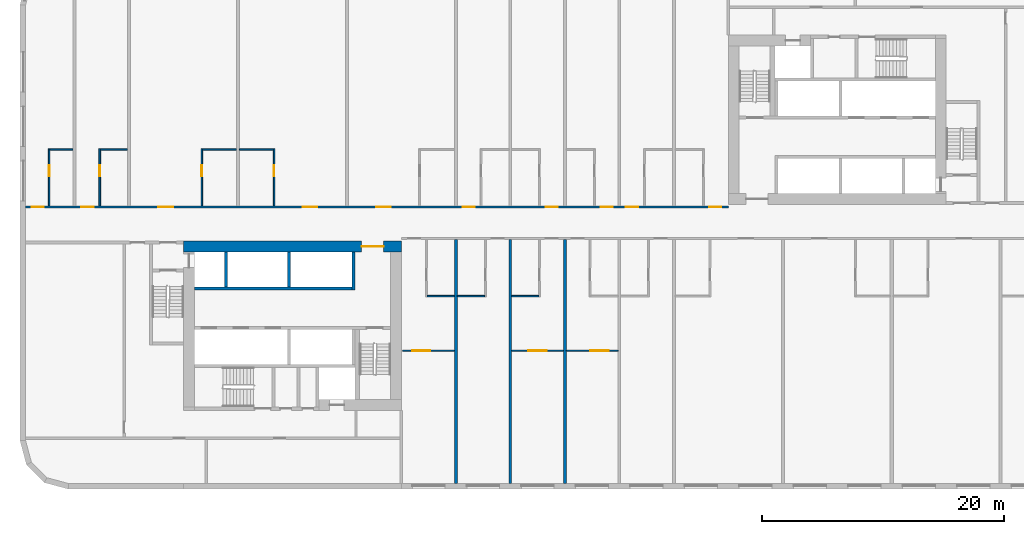
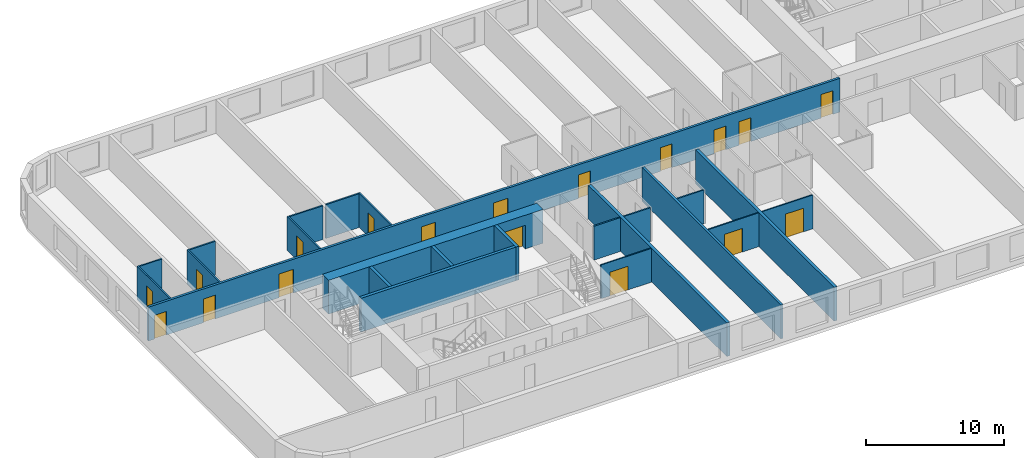
# One storey, part 3 of 12: 23 walls, 18 doors, 18 openings.
"""IFC4 building model written with IfcOpenShell, lengths in metres."""

from ifc_helpers import new_model, si_unit, direction, frame, frame_2d, origin, place, context, subcontext, project, spatial, rectangle, extrude, material, layer, layer_set, type_object, element, fill, save


model = new_model("IFC4")

# Units and contexts
model_context = context("Model", 3, precision=1e-05, world=origin(), true_north=direction((0.0, 1.0)))
body_context = subcontext(model_context, "Body", "Model", "MODEL_VIEW")
ifc_project = project(units=[si_unit("LENGTHUNIT", "METRE"), si_unit("AREAUNIT", "SQUARE_METRE"), si_unit("VOLUMEUNIT", "CUBIC_METRE"), si_unit("PLANEANGLEUNIT", "RADIAN"), si_unit("MASSUNIT", "GRAM", prefix="KILO")], contexts=[model_context])

# Site, building, storey
site_placement = place(None, origin())
site = spatial("IfcSite", under=ifc_project, at=site_placement, CompositionType="ELEMENT")
building_placement = place(site_placement, origin())
building = spatial("IfcBuilding", under=site, at=building_placement, Name="Kajstack Hotel Tower", CompositionType="ELEMENT")
storey_placement = place(building_placement, frame((0.0, 0.0, 96.300048828125)))
storey = spatial("IfcBuildingStorey", under=building, at=storey_placement, Name="L20", CompositionType="ELEMENT", Elevation=96.300048828125)

# Wall, opening, door
ifc_material_1 = material(Name="Concrete C60/75", Category="concrete")
ifc_layer_1 = layer(ifc_material_1, 0.89990234375)
ifc_layer_set_1 = layer_set([ifc_layer_1], Name="Core wall 900")
wall_type_1 = type_object("IfcWallType", Name="Core wall 900", PredefinedType="SHEAR", material=ifc_layer_set_1)
wall_1_placement = place(storey_placement, frame((-31.5, -1.949951171875, 0.0), z_axis=(0.0, 0.0, 1.0), x_axis=(1.0, 0.0, 0.0)))
wall_1 = element("IfcWall", 1, at=wall_1_placement, inside=storey, type_object=wall_type_1, Name="Core wall W RN", PredefinedType="SHEAR", context=body_context, shape_type="SweptSolid", body=[
    extrude(rectangle(XDim=18.0, YDim=0.89990234375, at=frame_2d((9.0, 0.0))), origin(), (0.0, 0.0, 1.0), 3.0),
])
opening_1_placement = place(wall_1_placement, frame((14.72509765625, 0.0, 0.0)))
opening_1 = element("IfcOpeningElement", 2, at=opening_1_placement, cuts=wall_1, Name="Opening 20W06", PredefinedType="OPENING", context=body_context, shape_type="SweptSolid", body=[
    extrude(rectangle(XDim=1.800048828125, YDim=2.10009765625, at=frame_2d((0.89990234375, 1.050048828125))), frame((0.0, 0.4599609375, 0.0), z_axis=(0.0, -1.0, 0.0), x_axis=(1.0, 0.0, 0.0)), (0.0, 0.0, 1.0), 0.919921875),
])
ifc_material_2 = material(Name="Glazed steel frame, fire-rated glass", Category="steel")
door_type_1 = type_object("IfcDoorType", Name="Lobby double door 1800", OperationType="DOUBLE_DOOR_DOUBLE_SWING", PredefinedType="DOOR", material=ifc_material_2)
door_1_placement = place(opening_1_placement, origin())
door_1 = element("IfcDoor", 3, at=door_1_placement, inside=storey, type_object=door_type_1, Name="Door 20W06", OperationType="DOUBLE_DOOR_DOUBLE_SWING", OverallHeight=2.10009765625, OverallWidth=1.800048828125, PredefinedType="DOOR", context=body_context, shape_type="SweptSolid", body=[
    extrude(rectangle(XDim=1.800048828125, YDim=2.10009765625, at=frame_2d((0.89990234375, 1.050048828125))), frame((0.0, 0.02490234375, 0.0), z_axis=(0.0, -1.0, 0.0), x_axis=(1.0, 0.0, 0.0)), (0.0, 0.0, 1.0), 0.050048828125),
])
fill(opening_1, door_1)

# Wall, openings, doors
ifc_material_3 = material(Name="Gypsum board on steel studs, mineral wool", Category="steel")
ifc_layer_2 = layer(ifc_material_3, 0.199951171875)
ifc_layer_set_2 = layer_set([ifc_layer_2], Name="Corridor wall 200")
wall_type_2 = type_object("IfcWallType", Name="Corridor wall 200", PredefinedType="PARTITIONING", material=ifc_layer_set_2)
wall_2_placement = place(storey_placement, frame((-44.550048828125, 1.300048828125, 0.0), z_axis=(0.0, 0.0, 1.0), x_axis=(1.0, 0.0, 0.0)))
wall_2 = element("IfcWall", 4, at=wall_2_placement, inside=storey, type_object=wall_type_2, Name="G-wall-L20-003", PredefinedType="PARTITIONING", context=body_context, shape_type="SweptSolid", body=[
    extrude(rectangle(XDim=58.050048828125, YDim=0.199951171875, at=frame_2d((29.02490234375, 0.0))), origin(), (0.0, 0.0, 1.0), 3.0),
])
opening_2_placement = place(wall_2_placement, frame((0.52490234375, 0.0, 0.0)))
opening_2 = element("IfcOpeningElement", 5, at=opening_2_placement, cuts=wall_2, Name="Opening 20001", PredefinedType="OPENING", context=body_context, shape_type="SweptSolid", body=[
    extrude(rectangle(XDim=1.0, YDim=2.10009765625, at=frame_2d((0.5, 1.050048828125))), frame((0.0, 0.10986328125, 0.0), z_axis=(0.0, -1.0, 0.0), x_axis=(1.0, 0.0, 0.0)), (0.0, 0.0, 1.0), 0.219970703125),
])
opening_3_placement = place(wall_2_placement, frame((4.625, 0.0, 0.0)))
opening_3 = element("IfcOpeningElement", 6, at=opening_3_placement, cuts=wall_2, Name="Opening 20003", PredefinedType="OPENING", context=body_context, shape_type="SweptSolid", body=[
    extrude(rectangle(XDim=1.0, YDim=2.10009765625, at=frame_2d((0.5, 1.050048828125))), frame((0.0, 0.10986328125, 0.0), z_axis=(0.0, -1.0, 0.0), x_axis=(1.0, 0.0, 0.0)), (0.0, 0.0, 1.0), 0.219970703125),
])
opening_4_placement = place(wall_2_placement, frame((10.987060546875, 0.0, 0.0)))
opening_4 = element("IfcOpeningElement", 7, at=opening_4_placement, cuts=wall_2, Name="Opening 20005", PredefinedType="OPENING", context=body_context, shape_type="SweptSolid", body=[
    extrude(rectangle(XDim=1.199951171875, YDim=2.10009765625, at=frame_2d((0.60009765625, 1.050048828125))), frame((0.0, 0.10986328125, 0.0), z_axis=(0.0, -1.0, 0.0), x_axis=(1.0, 0.0, 0.0)), (0.0, 0.0, 1.0), 0.219970703125),
])
opening_5_placement = place(wall_2_placement, frame((22.912109375, 0.0, 0.0)))
opening_5 = element("IfcOpeningElement", 8, at=opening_5_placement, cuts=wall_2, Name="Opening 20007", PredefinedType="OPENING", context=body_context, shape_type="SweptSolid", body=[
    extrude(rectangle(XDim=1.199951171875, YDim=2.10009765625, at=frame_2d((0.60009765625, 1.050048828125))), frame((0.0, 0.10986328125, 0.0), z_axis=(0.0, -1.0, 0.0), x_axis=(1.0, 0.0, 0.0)), (0.0, 0.0, 1.0), 0.219970703125),
])
opening_6_placement = place(wall_2_placement, frame((28.987060546875, 0.0, 0.0)))
opening_6 = element("IfcOpeningElement", 9, at=opening_6_placement, cuts=wall_2, Name="Opening 20009", PredefinedType="OPENING", context=body_context, shape_type="SweptSolid", body=[
    extrude(rectangle(XDim=1.199951171875, YDim=2.10009765625, at=frame_2d((0.60009765625, 1.050048828125))), frame((0.0, 0.10986328125, 0.0), z_axis=(0.0, -1.0, 0.0), x_axis=(1.0, 0.0, 0.0)), (0.0, 0.0, 1.0), 0.219970703125),
])
opening_7_placement = place(wall_2_placement, frame((36.125, 0.0, 0.0)))
opening_7 = element("IfcOpeningElement", 10, at=opening_7_placement, cuts=wall_2, Name="Opening 20011", PredefinedType="OPENING", context=body_context, shape_type="SweptSolid", body=[
    extrude(rectangle(XDim=1.0, YDim=2.10009765625, at=frame_2d((0.5, 1.050048828125))), frame((0.0, 0.10986328125, 0.0), z_axis=(0.0, -1.0, 0.0), x_axis=(1.0, 0.0, 0.0)), (0.0, 0.0, 1.0), 0.219970703125),
])
opening_8_placement = place(wall_2_placement, frame((42.97509765625, 0.0, 0.0)))
opening_8 = element("IfcOpeningElement", 11, at=opening_8_placement, cuts=wall_2, Name="Opening 20013", PredefinedType="OPENING", context=body_context, shape_type="SweptSolid", body=[
    extrude(rectangle(XDim=1.0, YDim=2.10009765625, at=frame_2d((0.5, 1.050048828125))), frame((0.0, 0.10986328125, 0.0), z_axis=(0.0, -1.0, 0.0), x_axis=(1.0, 0.0, 0.0)), (0.0, 0.0, 1.0), 0.219970703125),
])
opening_9_placement = place(wall_2_placement, frame((47.5, 0.0, 0.0)))
opening_9 = element("IfcOpeningElement", 12, at=opening_9_placement, cuts=wall_2, Name="Opening 20015", PredefinedType="OPENING", context=body_context, shape_type="SweptSolid", body=[
    extrude(rectangle(XDim=1.0, YDim=2.10009765625, at=frame_2d((0.5, 1.050048828125))), frame((0.0, 0.10986328125, 0.0), z_axis=(0.0, -1.0, 0.0), x_axis=(1.0, 0.0, 0.0)), (0.0, 0.0, 1.0), 0.219970703125),
])
opening_10_placement = place(wall_2_placement, frame((49.60009765625, 0.0, 0.0)))
opening_10 = element("IfcOpeningElement", 13, at=opening_10_placement, cuts=wall_2, Name="Opening 20017", PredefinedType="OPENING", context=body_context, shape_type="SweptSolid", body=[
    extrude(rectangle(XDim=1.0, YDim=2.10009765625, at=frame_2d((0.5, 1.050048828125))), frame((0.0, 0.10986328125, 0.0), z_axis=(0.0, -1.0, 0.0), x_axis=(1.0, 0.0, 0.0)), (0.0, 0.0, 1.0), 0.219970703125),
])
opening_11_placement = place(wall_2_placement, frame((56.47509765625, 0.0, 0.0)))
opening_11 = element("IfcOpeningElement", 14, at=opening_11_placement, cuts=wall_2, Name="Opening 20019", PredefinedType="OPENING", context=body_context, shape_type="SweptSolid", body=[
    extrude(rectangle(XDim=1.0, YDim=2.10009765625, at=frame_2d((0.5, 1.050048828125))), frame((0.0, 0.10986328125, 0.0), z_axis=(0.0, -1.0, 0.0), x_axis=(1.0, 0.0, 0.0)), (0.0, 0.0, 1.0), 0.219970703125),
])
ifc_material_4 = material(Name="Oak veneer on timber core, fire-rated leaf", Category="wood")
door_type_2 = type_object("IfcDoorType", Name="Flat entrance door 1000", OperationType="SINGLE_SWING_LEFT", PredefinedType="DOOR", material=ifc_material_4)
door_2_placement = place(opening_2_placement, origin())
door_2 = element("IfcDoor", 15, at=door_2_placement, inside=storey, type_object=door_type_2, Name="G-door-L20-01", OperationType="SINGLE_SWING_RIGHT", OverallHeight=2.10009765625, OverallWidth=1.0, PredefinedType="DOOR", context=body_context, shape_type="SweptSolid", body=[
    extrude(rectangle(XDim=1.0, YDim=2.10009765625, at=frame_2d((0.5, 1.050048828125))), frame((0.0, 0.02490234375, 0.0), z_axis=(0.0, -1.0, 0.0), x_axis=(1.0, 0.0, 0.0)), (0.0, 0.0, 1.0), 0.050048828125),
])
fill(opening_2, door_2)
door_3_placement = place(opening_3_placement, origin())
door_3 = element("IfcDoor", 16, at=door_3_placement, inside=storey, type_object=door_type_2, Name="G-door-L20-03", OperationType="SINGLE_SWING_RIGHT", OverallHeight=2.10009765625, OverallWidth=1.0, PredefinedType="DOOR", context=body_context, shape_type="SweptSolid", body=[
    extrude(rectangle(XDim=1.0, YDim=2.10009765625, at=frame_2d((0.5, 1.050048828125))), frame((0.0, 0.02490234375, 0.0), z_axis=(0.0, -1.0, 0.0), x_axis=(1.0, 0.0, 0.0)), (0.0, 0.0, 1.0), 0.050048828125),
])
fill(opening_3, door_3)
door_4_placement = place(opening_7_placement, origin())
door_4 = element("IfcDoor", 17, at=door_4_placement, inside=storey, type_object=door_type_2, Name="G-door-L20-11", OperationType="SINGLE_SWING_RIGHT", OverallHeight=2.10009765625, OverallWidth=1.0, PredefinedType="DOOR", context=body_context, shape_type="SweptSolid", body=[
    extrude(rectangle(XDim=1.0, YDim=2.10009765625, at=frame_2d((0.5, 1.050048828125))), frame((0.0, 0.02490234375, 0.0), z_axis=(0.0, -1.0, 0.0), x_axis=(1.0, 0.0, 0.0)), (0.0, 0.0, 1.0), 0.050048828125),
])
fill(opening_7, door_4)
door_5_placement = place(opening_8_placement, origin())
door_5 = element("IfcDoor", 18, at=door_5_placement, inside=storey, type_object=door_type_2, Name="G-door-L20-13", OperationType="SINGLE_SWING_LEFT", OverallHeight=2.10009765625, OverallWidth=1.0, PredefinedType="DOOR", context=body_context, shape_type="SweptSolid", body=[
    extrude(rectangle(XDim=1.0, YDim=2.10009765625, at=frame_2d((0.5, 1.050048828125))), frame((0.0, 0.02490234375, 0.0), z_axis=(0.0, -1.0, 0.0), x_axis=(1.0, 0.0, 0.0)), (0.0, 0.0, 1.0), 0.050048828125),
])
fill(opening_8, door_5)
door_6_placement = place(opening_9_placement, origin())
door_6 = element("IfcDoor", 19, at=door_6_placement, inside=storey, type_object=door_type_2, Name="G-door-L20-15", OperationType="SINGLE_SWING_RIGHT", OverallHeight=2.10009765625, OverallWidth=1.0, PredefinedType="DOOR", context=body_context, shape_type="SweptSolid", body=[
    extrude(rectangle(XDim=1.0, YDim=2.10009765625, at=frame_2d((0.5, 1.050048828125))), frame((0.0, 0.02490234375, 0.0), z_axis=(0.0, -1.0, 0.0), x_axis=(1.0, 0.0, 0.0)), (0.0, 0.0, 1.0), 0.050048828125),
])
fill(opening_9, door_6)
door_7_placement = place(opening_10_placement, origin())
door_7 = element("IfcDoor", 20, at=door_7_placement, inside=storey, type_object=door_type_2, Name="G-door-L20-17", OperationType="SINGLE_SWING_LEFT", OverallHeight=2.10009765625, OverallWidth=1.0, PredefinedType="DOOR", context=body_context, shape_type="SweptSolid", body=[
    extrude(rectangle(XDim=1.0, YDim=2.10009765625, at=frame_2d((0.5, 1.050048828125))), frame((0.0, 0.02490234375, 0.0), z_axis=(0.0, -1.0, 0.0), x_axis=(1.0, 0.0, 0.0)), (0.0, 0.0, 1.0), 0.050048828125),
])
fill(opening_10, door_7)
door_8_placement = place(opening_11_placement, origin())
door_8 = element("IfcDoor", 21, at=door_8_placement, inside=storey, type_object=door_type_2, Name="G-door-L20-19", OperationType="SINGLE_SWING_RIGHT", OverallHeight=2.10009765625, OverallWidth=1.0, PredefinedType="DOOR", context=body_context, shape_type="SweptSolid", body=[
    extrude(rectangle(XDim=1.0, YDim=2.10009765625, at=frame_2d((0.5, 1.050048828125))), frame((0.0, 0.02490234375, 0.0), z_axis=(0.0, -1.0, 0.0), x_axis=(1.0, 0.0, 0.0)), (0.0, 0.0, 1.0), 0.050048828125),
])
fill(opening_11, door_8)
door_type_3 = type_object("IfcDoorType", Name="Flat entrance door 1200", OperationType="SINGLE_SWING_LEFT", PredefinedType="DOOR", material=ifc_material_4)
door_9_placement = place(opening_4_placement, origin())
door_9 = element("IfcDoor", 22, at=door_9_placement, inside=storey, type_object=door_type_3, Name="G-door-L20-05", OperationType="SINGLE_SWING_RIGHT", OverallHeight=2.10009765625, OverallWidth=1.199951171875, PredefinedType="DOOR", context=body_context, shape_type="SweptSolid", body=[
    extrude(rectangle(XDim=1.199951171875, YDim=2.10009765625, at=frame_2d((0.60009765625, 1.050048828125))), frame((0.0, 0.02490234375, 0.0), z_axis=(0.0, -1.0, 0.0), x_axis=(1.0, 0.0, 0.0)), (0.0, 0.0, 1.0), 0.050048828125),
])
fill(opening_4, door_9)
door_10_placement = place(opening_5_placement, origin())
door_10 = element("IfcDoor", 23, at=door_10_placement, inside=storey, type_object=door_type_3, Name="G-door-L20-07", OperationType="SINGLE_SWING_LEFT", OverallHeight=2.10009765625, OverallWidth=1.199951171875, PredefinedType="DOOR", context=body_context, shape_type="SweptSolid", body=[
    extrude(rectangle(XDim=1.199951171875, YDim=2.10009765625, at=frame_2d((0.60009765625, 1.050048828125))), frame((0.0, 0.02490234375, 0.0), z_axis=(0.0, -1.0, 0.0), x_axis=(1.0, 0.0, 0.0)), (0.0, 0.0, 1.0), 0.050048828125),
])
fill(opening_5, door_10)
door_11_placement = place(opening_6_placement, origin())
door_11 = element("IfcDoor", 24, at=door_11_placement, inside=storey, type_object=door_type_3, Name="G-door-L20-09", OperationType="SINGLE_SWING_LEFT", OverallHeight=2.10009765625, OverallWidth=1.199951171875, PredefinedType="DOOR", context=body_context, shape_type="SweptSolid", body=[
    extrude(rectangle(XDim=1.199951171875, YDim=2.10009765625, at=frame_2d((0.60009765625, 1.050048828125))), frame((0.0, 0.02490234375, 0.0), z_axis=(0.0, -1.0, 0.0), x_axis=(1.0, 0.0, 0.0)), (0.0, 0.0, 1.0), 0.050048828125),
])
fill(opening_6, door_11)

# Wall
ifc_material_5 = material(Name="Twin-frame gypsum board on steel studs, mineral wool", Category="steel")
ifc_layer_3 = layer(ifc_material_5, 0.199951171875)
ifc_layer_set_3 = layer_set([ifc_layer_3], Name="Demising wall 200")
wall_type_3 = type_object("IfcWallType", Name="Demising wall 200", PredefinedType="PARTITIONING", material=ifc_layer_set_3)
wall_3_placement = place(storey_placement, frame((-4.5, -21.550048828125, 0.0), z_axis=(0.0, 0.0, 1.0), x_axis=(0.0, 1.0, 0.0)))
element("IfcWall", 25, at=wall_3_placement, inside=storey, type_object=wall_type_3, Name="G-wall-L20-030", PredefinedType="PARTITIONING", context=body_context, shape_type="SweptSolid", body=[
    extrude(rectangle(XDim=20.150146484375, YDim=0.199951171875, at=frame_2d((10.0751953125, 0.0))), origin(), (0.0, 0.0, 1.0), 3.0),
])

# Wall, opening, door
ifc_material_6 = material(Name="Gypsum board and tiled backer on steel studs", Category="steel")
ifc_layer_4 = layer(ifc_material_6, 0.125)
ifc_layer_set_4 = layer_set([ifc_layer_4], Name="En-suite wall 125")
wall_type_4 = type_object("IfcWallType", Name="En-suite wall 125", PredefinedType="PARTITIONING", material=ifc_layer_set_4)
wall_4_placement = place(storey_placement, frame((-42.5869140625, 1.39990234375, 0.0), z_axis=(0.0, 0.0, 1.0), x_axis=(0.0, 1.0, 0.0)))
wall_4 = element("IfcWall", 26, at=wall_4_placement, inside=storey, type_object=wall_type_4, Name="G-wall-L20-004", PredefinedType="PARTITIONING", context=body_context, shape_type="SweptSolid", body=[
    extrude(rectangle(XDim=4.72509765625, YDim=0.125, at=frame_2d((2.362548828125, 0.0))), origin(), (0.0, 0.0, 1.0), 3.0),
])
opening_12_placement = place(wall_4_placement, frame((2.449951171875, 0.0, 0.0)))
opening_12 = element("IfcOpeningElement", 27, at=opening_12_placement, cuts=wall_4, Name="Opening 20002", PredefinedType="OPENING", context=body_context, shape_type="SweptSolid", body=[
    extrude(rectangle(XDim=0.89990234375, YDim=2.10009765625, at=frame_2d((0.449951171875, 1.050048828125))), frame((0.0, 0.072509765625, 0.0), z_axis=(0.0, -1.0, 0.0), x_axis=(1.0, 0.0, 0.0)), (0.0, 0.0, 1.0), 0.14501953125),
])
ifc_material_7 = material(Name="Painted timber door leaf", Category="wood")
door_type_4 = type_object("IfcDoorType", Name="Room door 900", OperationType="SINGLE_SWING_LEFT", PredefinedType="DOOR", material=ifc_material_7)
door_12_placement = place(opening_12_placement, origin())
door_12 = element("IfcDoor", 28, at=door_12_placement, inside=storey, type_object=door_type_4, Name="G-door-L20-02", OperationType="SINGLE_SWING_LEFT", OverallHeight=2.10009765625, OverallWidth=0.89990234375, PredefinedType="DOOR", context=body_context, shape_type="SweptSolid", body=[
    extrude(rectangle(XDim=0.89990234375, YDim=2.10009765625, at=frame_2d((0.449951171875, 1.050048828125))), frame((0.0, 0.02490234375, 0.0), z_axis=(0.0, -1.0, 0.0), x_axis=(1.0, 0.0, 0.0)), (0.0, 0.0, 1.0), 0.050048828125),
])
fill(opening_12, door_12)

# Wall
wall_5_placement = place(storey_placement, frame((-42.52490234375, 6.06201171875, 0.0), z_axis=(0.0, 0.0, 1.0), x_axis=(1.0, 0.0, 0.0)))
element("IfcWall", 29, at=wall_5_placement, inside=storey, type_object=wall_type_4, Name="G-wall-L20-005", PredefinedType="PARTITIONING", context=body_context, shape_type="SweptSolid", body=[
    extrude(rectangle(XDim=1.89990234375, YDim=0.125, at=frame_2d((0.949951171875, 0.0))), origin(), (0.0, 0.0, 1.0), 3.0),
])

# Wall, opening, door
wall_6_placement = place(storey_placement, frame((-38.4130859375, 1.39990234375, 0.0), z_axis=(0.0, 0.0, 1.0), x_axis=(0.0, 1.0, 0.0)))
wall_6 = element("IfcWall", 30, at=wall_6_placement, inside=storey, type_object=wall_type_4, Name="G-wall-L20-006", PredefinedType="PARTITIONING", context=body_context, shape_type="SweptSolid", body=[
    extrude(rectangle(XDim=4.72509765625, YDim=0.125, at=frame_2d((2.362548828125, 0.0))), origin(), (0.0, 0.0, 1.0), 3.0),
])
opening_13_placement = place(wall_6_placement, frame((2.449951171875, 0.0, 0.0)))
opening_13 = element("IfcOpeningElement", 31, at=opening_13_placement, cuts=wall_6, Name="Opening 20004", PredefinedType="OPENING", context=body_context, shape_type="SweptSolid", body=[
    extrude(rectangle(XDim=0.89990234375, YDim=2.10009765625, at=frame_2d((0.449951171875, 1.050048828125))), frame((0.0, 0.072509765625, 0.0), z_axis=(0.0, -1.0, 0.0), x_axis=(1.0, 0.0, 0.0)), (0.0, 0.0, 1.0), 0.14501953125),
])
door_13_placement = place(opening_13_placement, origin())
door_13 = element("IfcDoor", 32, at=door_13_placement, inside=storey, type_object=door_type_4, Name="G-door-L20-04", OperationType="SINGLE_SWING_RIGHT", OverallHeight=2.10009765625, OverallWidth=0.89990234375, PredefinedType="DOOR", context=body_context, shape_type="SweptSolid", body=[
    extrude(rectangle(XDim=0.89990234375, YDim=2.10009765625, at=frame_2d((0.449951171875, 1.050048828125))), frame((0.0, 0.02490234375, 0.0), z_axis=(0.0, -1.0, 0.0), x_axis=(1.0, 0.0, 0.0)), (0.0, 0.0, 1.0), 0.050048828125),
])
fill(opening_13, door_13)

# Wall
wall_7_placement = place(storey_placement, frame((-38.35009765625, 6.06201171875, 0.0), z_axis=(0.0, 0.0, 1.0), x_axis=(1.0, 0.0, 0.0)))
element("IfcWall", 33, at=wall_7_placement, inside=storey, type_object=wall_type_4, Name="G-wall-L20-007", PredefinedType="PARTITIONING", context=body_context, shape_type="SweptSolid", body=[
    extrude(rectangle(XDim=2.22509765625, YDim=0.125, at=frame_2d((1.112548828125, 0.0))), origin(), (0.0, 0.0, 1.0), 3.0),
])

# Wall, opening, door
wall_8_placement = place(storey_placement, frame((-29.988037109375, 1.39990234375, 0.0), z_axis=(0.0, 0.0, 1.0), x_axis=(0.0, 1.0, 0.0)))
wall_8 = element("IfcWall", 34, at=wall_8_placement, inside=storey, type_object=wall_type_4, Name="G-wall-L20-008", PredefinedType="PARTITIONING", context=body_context, shape_type="SweptSolid", body=[
    extrude(rectangle(XDim=4.72509765625, YDim=0.125, at=frame_2d((2.362548828125, 0.0))), origin(), (0.0, 0.0, 1.0), 3.0),
])
opening_14_placement = place(wall_8_placement, frame((2.449951171875, 0.0, 0.0)))
opening_14 = element("IfcOpeningElement", 35, at=opening_14_placement, cuts=wall_8, Name="Opening 20006", PredefinedType="OPENING", context=body_context, shape_type="SweptSolid", body=[
    extrude(rectangle(XDim=0.89990234375, YDim=2.10009765625, at=frame_2d((0.449951171875, 1.050048828125))), frame((0.0, 0.072509765625, 0.0), z_axis=(0.0, -1.0, 0.0), x_axis=(1.0, 0.0, 0.0)), (0.0, 0.0, 1.0), 0.14501953125),
])
door_14_placement = place(opening_14_placement, origin())
door_14 = element("IfcDoor", 36, at=door_14_placement, inside=storey, type_object=door_type_4, Name="G-door-L20-06", OperationType="SINGLE_SWING_RIGHT", OverallHeight=2.10009765625, OverallWidth=0.89990234375, PredefinedType="DOOR", context=body_context, shape_type="SweptSolid", body=[
    extrude(rectangle(XDim=0.89990234375, YDim=2.10009765625, at=frame_2d((0.449951171875, 1.050048828125))), frame((0.0, 0.02490234375, 0.0), z_axis=(0.0, -1.0, 0.0), x_axis=(1.0, 0.0, 0.0)), (0.0, 0.0, 1.0), 0.050048828125),
])
fill(opening_14, door_14)

# Wall
wall_9_placement = place(storey_placement, frame((-29.925048828125, 6.06201171875, 0.0), z_axis=(0.0, 0.0, 1.0), x_axis=(1.0, 0.0, 0.0)))
element("IfcWall", 37, at=wall_9_placement, inside=storey, type_object=wall_type_4, Name="G-wall-L20-009", PredefinedType="PARTITIONING", context=body_context, shape_type="SweptSolid", body=[
    extrude(rectangle(XDim=2.800048828125, YDim=0.125, at=frame_2d((1.39990234375, 0.0))), origin(), (0.0, 0.0, 1.0), 3.0),
])

# Wall, opening, door
wall_10_placement = place(storey_placement, frame((-24.011962890625, 1.39990234375, 0.0), z_axis=(0.0, 0.0, 1.0), x_axis=(0.0, 1.0, 0.0)))
wall_10 = element("IfcWall", 38, at=wall_10_placement, inside=storey, type_object=wall_type_4, Name="G-wall-L20-010", PredefinedType="PARTITIONING", context=body_context, shape_type="SweptSolid", body=[
    extrude(rectangle(XDim=4.72509765625, YDim=0.125, at=frame_2d((2.362548828125, 0.0))), origin(), (0.0, 0.0, 1.0), 3.0),
])
opening_15_placement = place(wall_10_placement, frame((2.449951171875, 0.0, 0.0)))
opening_15 = element("IfcOpeningElement", 39, at=opening_15_placement, cuts=wall_10, Name="Opening 20008", PredefinedType="OPENING", context=body_context, shape_type="SweptSolid", body=[
    extrude(rectangle(XDim=0.89990234375, YDim=2.10009765625, at=frame_2d((0.449951171875, 1.050048828125))), frame((0.0, 0.072509765625, 0.0), z_axis=(0.0, -1.0, 0.0), x_axis=(1.0, 0.0, 0.0)), (0.0, 0.0, 1.0), 0.14501953125),
])
door_15_placement = place(opening_15_placement, origin())
door_15 = element("IfcDoor", 40, at=door_15_placement, inside=storey, type_object=door_type_4, Name="G-door-L20-08", OperationType="SINGLE_SWING_RIGHT", OverallHeight=2.10009765625, OverallWidth=0.89990234375, PredefinedType="DOOR", context=body_context, shape_type="SweptSolid", body=[
    extrude(rectangle(XDim=0.89990234375, YDim=2.10009765625, at=frame_2d((0.449951171875, 1.050048828125))), frame((0.0, 0.02490234375, 0.0), z_axis=(0.0, -1.0, 0.0), x_axis=(1.0, 0.0, 0.0)), (0.0, 0.0, 1.0), 0.050048828125),
])
fill(opening_15, door_15)

# Walls
wall_11_placement = place(storey_placement, frame((-26.875, 6.06201171875, 0.0), z_axis=(0.0, 0.0, 1.0), x_axis=(1.0, 0.0, 0.0)))
element("IfcWall", 41, at=wall_11_placement, inside=storey, type_object=wall_type_4, Name="G-wall-L20-011", PredefinedType="PARTITIONING", context=body_context, shape_type="SweptSolid", body=[
    extrude(rectangle(XDim=2.800048828125, YDim=0.125, at=frame_2d((1.39990234375, 0.0))), origin(), (0.0, 0.0, 1.0), 3.0),
])
for number, where, z_axis, x_axis, name in (
    (42, (-11.375, -6.06201171875, 0.0), (0.0, 0.0, 1.0), (1.0, 0.0, 0.0), "G-wall-L20-028"),
    (43, (-8.875, -6.06201171875, 0.0), (0.0, 0.0, 1.0), (1.0, 0.0, 0.0), "G-wall-L20-032"),
    (44, (-4.39990234375, -6.06201171875, 0.0), (0.0, 0.0, 1.0), (1.0, 0.0, 0.0), "G-wall-L20-034"),
):
    element("IfcWall", number, at=place(storey_placement, frame(where, z_axis=z_axis, x_axis=x_axis)), inside=storey, type_object=wall_type_4, Name=name, PredefinedType="PARTITIONING", context=body_context, shape_type="SweptSolid", body=[
        extrude(rectangle(XDim=2.25, YDim=0.125, at=frame_2d((1.125, 0.0))), origin(), (0.0, 0.0, 1.0), 3.0),
    ])
ifc_material_8 = material(Name="Concrete C50/60", Category="concrete")
ifc_layer_5 = layer(ifc_material_8, 0.300048828125)
ifc_layer_set_5 = layer_set([ifc_layer_5], Name="Hoistway divider wall 300")
wall_type_5 = type_object("IfcWallType", Name="Hoistway divider wall 300", PredefinedType="SHEAR", material=ifc_layer_set_5)
wall_12_placement = place(storey_placement, frame((-22.77490234375, -5.300048828125, 0.0), z_axis=(0.0, 0.0, 1.0), x_axis=(0.0, 1.0, 0.0)))
element("IfcWall", 45, at=wall_12_placement, inside=storey, type_object=wall_type_5, Name="Core wall W AP2", PredefinedType="SHEAR", context=body_context, shape_type="SweptSolid", body=[
    extrude(rectangle(XDim=2.900146484375, YDim=0.25, at=frame_2d((1.4501953125, 0.0))), origin(), (0.0, 0.0, 1.0), 3.0),
])

# Wall, opening, door
ifc_material_9 = material(Name="Gypsum board on steel studs", Category="steel")
ifc_layer_6 = layer(ifc_material_9, 0.10009765625)
ifc_layer_set_6 = layer_set([ifc_layer_6], Name="Partition 100")
wall_type_6 = type_object("IfcWallType", Name="Partition 100", PredefinedType="PARTITIONING", material=ifc_layer_set_6)
wall_13_placement = place(storey_placement, frame((-13.39990234375, -10.574951171875, 0.0), z_axis=(0.0, 0.0, 1.0), x_axis=(1.0, 0.0, 0.0)))
wall_13 = element("IfcWall", 46, at=wall_13_placement, inside=storey, type_object=wall_type_6, Name="G-wall-L20-029", PredefinedType="PARTITIONING", context=body_context, shape_type="SweptSolid", body=[
    extrude(rectangle(XDim=4.27490234375, YDim=0.10009765625, at=frame_2d((2.137451171875, 0.0))), origin(), (0.0, 0.0, 1.0), 3.0),
])
opening_16_placement = place(wall_13_placement, frame((0.7880859375, 0.0, 0.0)))
opening_16 = element("IfcOpeningElement", 47, at=opening_16_placement, cuts=wall_13, Name="Opening 20023", PredefinedType="OPENING", context=body_context, shape_type="SweptSolid", body=[
    extrude(rectangle(XDim=1.5, YDim=2.10009765625, at=frame_2d((0.75, 1.050048828125))), frame((0.0, 0.06005859375, 0.0), z_axis=(0.0, -1.0, 0.0), x_axis=(1.0, 0.0, 0.0)), (0.0, 0.0, 1.0), 0.1201171875),
])
ifc_material_10 = material(Name="Painted timber door leaves, glazed panels", Category="wood")
door_type_5 = type_object("IfcDoorType", Name="Double door 1500", OperationType="SINGLE_SWING_LEFT", PredefinedType="DOOR", material=ifc_material_10)
door_16_placement = place(opening_16_placement, origin())
door_16 = element("IfcDoor", 48, at=door_16_placement, inside=storey, type_object=door_type_5, Name="G-door-L20-23", OperationType="SINGLE_SWING_LEFT", OverallHeight=2.10009765625, OverallWidth=1.5, PredefinedType="DOOR", context=body_context, shape_type="SweptSolid", body=[
    extrude(rectangle(XDim=1.5, YDim=2.10009765625, at=frame_2d((0.75, 1.050048828125))), frame((0.0, 0.02490234375, 0.0), z_axis=(0.0, -1.0, 0.0), x_axis=(1.0, 0.0, 0.0)), (0.0, 0.0, 1.0), 0.050048828125),
])
fill(opening_16, door_16)

wall_14_placement = place(storey_placement, frame((-4.39990234375, -10.574951171875, 0.0), z_axis=(0.0, 0.0, 1.0), x_axis=(1.0, 0.0, 0.0)))
wall_14 = element("IfcWall", 49, at=wall_14_placement, inside=storey, type_object=wall_type_6, Name="G-wall-L20-035", PredefinedType="PARTITIONING", context=body_context, shape_type="SweptSolid", body=[
    extrude(rectangle(XDim=4.27490234375, YDim=0.10009765625, at=frame_2d((2.137451171875, 0.0))), origin(), (0.0, 0.0, 1.0), 3.0),
])
opening_17_placement = place(wall_14_placement, frame((1.387939453125, 0.0, 0.0)))
opening_17 = element("IfcOpeningElement", 50, at=opening_17_placement, cuts=wall_14, Name="Opening 20028", PredefinedType="OPENING", context=body_context, shape_type="SweptSolid", body=[
    extrude(rectangle(XDim=1.5, YDim=2.10009765625, at=frame_2d((0.75, 1.050048828125))), frame((0.0, 0.06005859375, 0.0), z_axis=(0.0, -1.0, 0.0), x_axis=(1.0, 0.0, 0.0)), (0.0, 0.0, 1.0), 0.1201171875),
])
door_17_placement = place(opening_17_placement, origin())
door_17 = element("IfcDoor", 51, at=door_17_placement, inside=storey, type_object=door_type_5, Name="G-door-L20-28", OperationType="SINGLE_SWING_RIGHT", OverallHeight=2.10009765625, OverallWidth=1.5, PredefinedType="DOOR", context=body_context, shape_type="SweptSolid", body=[
    extrude(rectangle(XDim=1.5, YDim=2.10009765625, at=frame_2d((0.75, 1.050048828125))), frame((0.0, 0.02490234375, 0.0), z_axis=(0.0, -1.0, 0.0), x_axis=(1.0, 0.0, 0.0)), (0.0, 0.0, 1.0), 0.050048828125),
])
fill(opening_17, door_17)

wall_15_placement = place(storey_placement, frame((0.125, -10.574951171875, 0.0), z_axis=(0.0, 0.0, 1.0), x_axis=(1.0, 0.0, 0.0)))
wall_15 = element("IfcWall", 52, at=wall_15_placement, inside=storey, type_object=wall_type_6, Name="G-wall-L20-039", PredefinedType="PARTITIONING", context=body_context, shape_type="SweptSolid", body=[
    extrude(rectangle(XDim=4.27490234375, YDim=0.10009765625, at=frame_2d((2.137451171875, 0.0))), origin(), (0.0, 0.0, 1.0), 3.0),
])
opening_18_placement = place(wall_15_placement, frame((1.988037109375, 0.0, 0.0)))
opening_18 = element("IfcOpeningElement", 53, at=opening_18_placement, cuts=wall_15, Name="Opening 20031", PredefinedType="OPENING", context=body_context, shape_type="SweptSolid", body=[
    extrude(rectangle(XDim=1.5, YDim=2.10009765625, at=frame_2d((0.75, 1.050048828125))), frame((0.0, 0.06005859375, 0.0), z_axis=(0.0, -1.0, 0.0), x_axis=(1.0, 0.0, 0.0)), (0.0, 0.0, 1.0), 0.1201171875),
])
door_18_placement = place(opening_18_placement, origin())
door_18 = element("IfcDoor", 54, at=door_18_placement, inside=storey, type_object=door_type_5, Name="G-door-L20-31", OperationType="SINGLE_SWING_LEFT", OverallHeight=2.10009765625, OverallWidth=1.5, PredefinedType="DOOR", context=body_context, shape_type="SweptSolid", body=[
    extrude(rectangle(XDim=1.5, YDim=2.10009765625, at=frame_2d((0.75, 1.050048828125))), frame((0.0, 0.02490234375, 0.0), z_axis=(0.0, -1.0, 0.0), x_axis=(1.0, 0.0, 0.0)), (0.0, 0.0, 1.0), 0.050048828125),
])
fill(opening_18, door_18)

# Walls
ifc_layer_7 = layer(ifc_material_1, 0.25)
ifc_layer_set_7 = layer_set([ifc_layer_7], Name="RC cross wall 250 C60/75")
wall_type_7 = type_object("IfcWallType", Name="RC cross wall 250 C60/75", PredefinedType="SHEAR", material=ifc_layer_set_7)
for number, where, z_axis, x_axis, name in (
    (55, (-9.0, -21.5400390625, 0.0), (0.0, 0.0, 1.0), (0.0, 1.0, 0.0), "S-wall-L20-05"),
    (56, (0.0, -21.5400390625, 0.0), (0.0, 0.0, 1.0), (0.0, 1.0, 0.0), "S-wall-L20-07"),
):
    element("IfcWall", number, at=place(storey_placement, frame(where, z_axis=z_axis, x_axis=x_axis)), inside=storey, type_object=wall_type_7, Name=name, PredefinedType="SHEAR", context=body_context, shape_type="SweptSolid", body=[
        extrude(rectangle(XDim=20.14013671875, YDim=0.25, at=frame_2d((10.070068359375, 0.0))), origin(), (0.0, 0.0, 1.0), 3.0),
    ])
ifc_layer_8 = layer(ifc_material_8, 0.25)
ifc_layer_set_8 = layer_set([ifc_layer_8], Name="Shaft wall 250")
wall_type_8 = type_object("IfcWallType", Name="Shaft wall 250", PredefinedType="SHEAR", material=ifc_layer_set_8)
wall_16_placement = place(storey_placement, frame((-30.60009765625, -5.425048828125, 0.0), z_axis=(0.0, 0.0, 1.0), x_axis=(1.0, 0.0, 0.0)))
element("IfcWall", 57, at=wall_16_placement, inside=storey, type_object=wall_type_8, Name="Core wall W FA", PredefinedType="SHEAR", context=body_context, shape_type="SweptSolid", body=[
    extrude(rectangle(XDim=13.0, YDim=0.25, at=frame_2d((6.5, 0.0))), origin(), (0.0, 0.0, 1.0), 3.0),
])
wall_17_placement = place(storey_placement, frame((-17.47509765625, -5.550048828125, 0.0), z_axis=(0.0, 0.0, 1.0), x_axis=(0.0, 1.0, 0.0)))
element("IfcWall", 58, at=wall_17_placement, inside=storey, type_object=wall_type_8, Name="Core wall W AE", PredefinedType="SHEAR", context=body_context, shape_type="SweptSolid", body=[
    extrude(rectangle(XDim=3.150146484375, YDim=0.25, at=frame_2d((1.5751953125, 0.0))), origin(), (0.0, 0.0, 1.0), 3.0),
])
wall_18_placement = place(storey_placement, frame((-27.97509765625, -5.300048828125, 0.0), z_axis=(0.0, 0.0, 1.0), x_axis=(0.0, 1.0, 0.0)))
element("IfcWall", 59, at=wall_18_placement, inside=storey, type_object=wall_type_8, Name="Core wall W AP0", PredefinedType="SHEAR", context=body_context, shape_type="SweptSolid", body=[
    extrude(rectangle(XDim=2.900146484375, YDim=0.25, at=frame_2d((1.4501953125, 0.0))), origin(), (0.0, 0.0, 1.0), 3.0),
])

save(model, "model.ifc")
